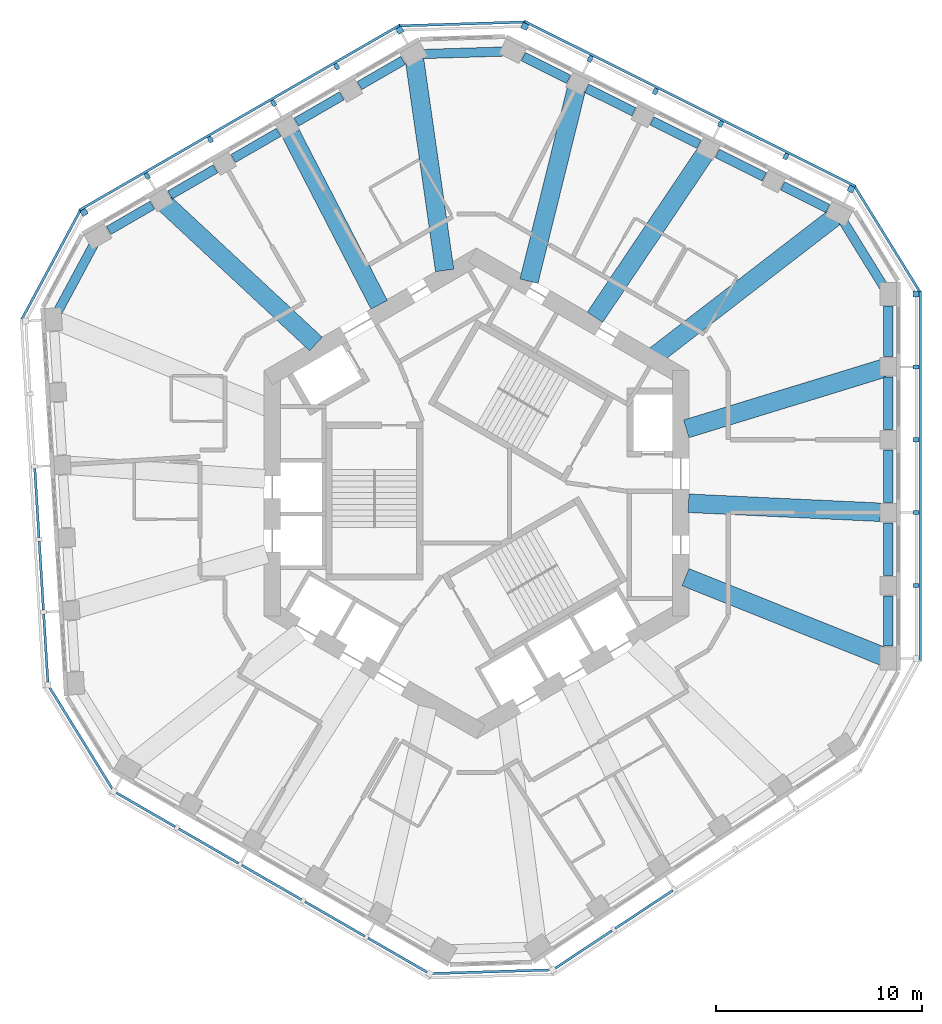
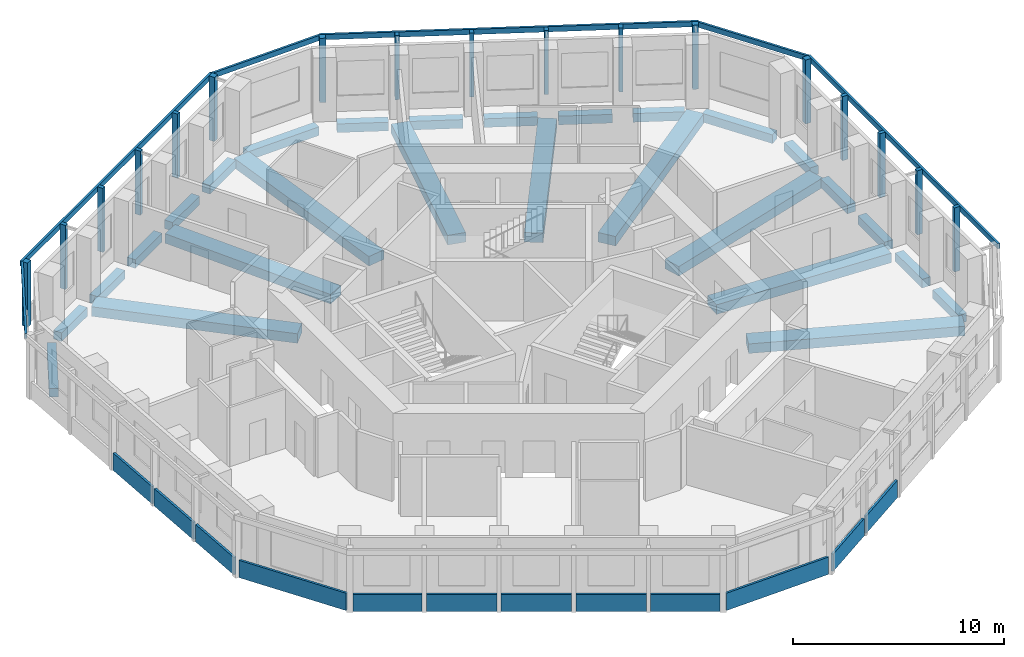
# One storey, part 2 of 11: 27 beams, 23 members, 12 plates, 11 elements without a shape of their own.
"""IFC4 building model written with IfcOpenShell, lengths in metres."""

from ifc_helpers import new_model, si_unit, direction, frame, origin, origin_2d, place, context, subcontext, project, spatial, rectangle, extrude, material, layer, layer_set, material_profile, profile_set, type_object, element, aggregate, save


model = new_model("IFC4")

# Units and contexts
model_context = context("Model", 3, precision=1e-05, world=origin(), true_north=direction((0.0, 1.0)))
body_context = subcontext(model_context, "Body", "Model", "MODEL_VIEW")
ifc_project = project(units=[si_unit("LENGTHUNIT", "METRE"), si_unit("AREAUNIT", "SQUARE_METRE"), si_unit("VOLUMEUNIT", "CUBIC_METRE"), si_unit("PLANEANGLEUNIT", "RADIAN"), si_unit("MASSUNIT", "GRAM", prefix="KILO")], contexts=[model_context])

# Site, building, storey
site_placement = place(None, origin())
site = spatial("IfcSite", under=ifc_project, at=site_placement, CompositionType="ELEMENT")
building_placement = place(site_placement, origin())
building = spatial("IfcBuilding", under=site, at=building_placement, Name="Vanh Sen Convention Tower", CompositionType="ELEMENT")
storey_placement = place(building_placement, frame((0.0, 0.0, 229.10009765625)))
storey = spatial("IfcBuildingStorey", under=building, at=storey_placement, Name="L56", CompositionType="ELEMENT", Elevation=229.10009765625)

# Curtain wall, member
ifc_material_1 = material(Name="Concrete C50/60", Category="concrete")
curtain_wall_type = type_object("IfcCurtainWallType", Name="Outer skin office zone", PredefinedType="NOTDEFINED", material=ifc_material_1)
curtain_wall_1_placement = place(storey_placement, origin())
curtain_wall_1 = element("IfcCurtainWall", 1, at=curtain_wall_1_placement, inside=storey, type_object=curtain_wall_type, Name="OUTER SKIN E L56", PredefinedType="NOTDEFINED")
ifc_material_profile_1 = material_profile(ifc_material_1, rectangle(XDim=0.300048828125, YDim=0.300048828125, at=origin_2d()), Name="Outer skin precast corner fin 300 x 300")
ifc_profile_set_1 = profile_set([ifc_material_profile_1], Name="Concrete C50/60")
member_type_1 = type_object("IfcMemberType", Name="Outer skin precast corner fin 300 x 300", PredefinedType="MULLION", material=ifc_profile_set_1)
member_1_placement = place(storey_placement, frame((21.300048828125, 9.665283203125, 0.0), z_axis=(0.0, 0.0, 1.0), x_axis=(0.0, 1.0, 0.0)))
member_1 = element("IfcMember", 2, at=member_1_placement, type_object=member_type_1, Name="OUTER SKIN CORNER FIN 6 E L56", PredefinedType="MULLION", context=body_context, shape_type="SweptSolid", body=[
    extrude(rectangle(XDim=0.300048828125, YDim=0.300048828125, at=origin_2d()), origin(), (0.0, 0.0, 1.0), 3.699951171875),
])

# Curtain wall, members
curtain_wall_2_placement = place(storey_placement, origin())
curtain_wall_2 = element("IfcCurtainWall", 3, at=curtain_wall_2_placement, inside=storey, type_object=curtain_wall_type, Name="OUTER SKIN NE L56", PredefinedType="NOTDEFINED")
member_2_placement = place(storey_placement, frame((18.15380859375, 14.74951171875, 0.0), z_axis=(0.0, 0.0, 1.0), x_axis=(-0.894934361602, 0.44619781311, 0.0)))
member_2 = element("IfcMember", 4, at=member_2_placement, type_object=member_type_1, Name="OUTER SKIN CORNER FIN 1 NE L56", PredefinedType="MULLION", context=body_context, shape_type="SweptSolid", body=[
    extrude(rectangle(XDim=0.300048828125, YDim=0.300048828125, at=origin_2d()), origin(), (0.0, 0.0, 1.0), 3.699951171875),
])
member_3_placement = place(storey_placement, frame((2.342041015625, 22.633056640625, 0.0), z_axis=(0.0, 0.0, 1.0), x_axis=(-0.894934361602, 0.44619781311, 0.0)))
member_3 = element("IfcMember", 5, at=member_3_placement, type_object=member_type_1, Name="OUTER SKIN CORNER FIN 6 NE L56", PredefinedType="MULLION", context=body_context, shape_type="SweptSolid", body=[
    extrude(rectangle(XDim=0.300048828125, YDim=0.300048828125, at=origin_2d()), origin(), (0.0, 0.0, 1.0), 3.699951171875),
])

curtain_wall_3_placement = place(storey_placement, origin())
curtain_wall_3 = element("IfcCurtainWall", 6, at=curtain_wall_3_placement, inside=storey, type_object=curtain_wall_type, Name="OUTER SKIN NW L56", PredefinedType="NOTDEFINED")
member_4_placement = place(storey_placement, frame((-3.719482421875, 22.44775390625, 0.0), z_axis=(0.0, 0.0, 1.0), x_axis=(-0.866025403784, -0.5, 0.0)))
member_4 = element("IfcMember", 7, at=member_4_placement, type_object=member_type_1, Name="OUTER SKIN CORNER FIN 1 NW L56", PredefinedType="MULLION", context=body_context, shape_type="SweptSolid", body=[
    extrude(rectangle(XDim=0.300048828125, YDim=0.300048828125, at=origin_2d()), origin(), (0.0, 0.0, 1.0), 3.699951171875),
])
member_5_placement = place(storey_placement, frame((-19.0205078125, 13.613525390625, 0.0), z_axis=(0.0, 0.0, 1.0), x_axis=(-0.866025403784, -0.5, 0.0)))
member_5 = element("IfcMember", 8, at=member_5_placement, type_object=member_type_1, Name="OUTER SKIN CORNER FIN 6 NW L56", PredefinedType="MULLION", context=body_context, shape_type="SweptSolid", body=[
    extrude(rectangle(XDim=0.300048828125, YDim=0.300048828125, at=origin_2d()), origin(), (0.0, 0.0, 1.0), 3.699951171875),
])

# Member
ifc_material_profile_2 = material_profile(ifc_material_1, rectangle(XDim=0.199951171875, YDim=0.300048828125, at=origin_2d()), Name="Outer skin precast fin 200 x 300")
ifc_profile_set_2 = profile_set([ifc_material_profile_2], Name="Concrete C50/60")
member_type_2 = type_object("IfcMemberType", Name="Outer skin precast fin 200 x 300", PredefinedType="MULLION", material=ifc_profile_set_2)
member_6_placement = place(storey_placement, frame((21.300048828125, -4.46923828125, 0.0), z_axis=(0.0, 0.0, 1.0), x_axis=(0.0, 1.0, 0.0)))
member_6 = element("IfcMember", 9, at=member_6_placement, type_object=member_type_2, Name="OUTER SKIN fin 2 E L56", PredefinedType="MULLION", context=body_context, shape_type="SweptSolid", body=[
    extrude(rectangle(XDim=0.199951171875, YDim=0.300048828125, at=origin_2d()), origin(), (0.0, 0.0, 1.0), 3.699951171875),
])

member_7_placement = place(storey_placement, frame((21.300048828125, -0.935546875, 0.0), z_axis=(0.0, 0.0, 1.0), x_axis=(0.0, 1.0, 0.0)))
member_7 = element("IfcMember", 10, at=member_7_placement, type_object=member_type_2, Name="OUTER SKIN fin 3 E L56", PredefinedType="MULLION", context=body_context, shape_type="SweptSolid", body=[
    extrude(rectangle(XDim=0.199951171875, YDim=0.300048828125, at=origin_2d()), origin(), (0.0, 0.0, 1.0), 3.699951171875),
])

member_8_placement = place(storey_placement, frame((21.300048828125, 2.59814453125, 0.0), z_axis=(0.0, 0.0, 1.0), x_axis=(0.0, 1.0, 0.0)))
member_8 = element("IfcMember", 11, at=member_8_placement, type_object=member_type_2, Name="OUTER SKIN fin 4 E L56", PredefinedType="MULLION", context=body_context, shape_type="SweptSolid", body=[
    extrude(rectangle(XDim=0.199951171875, YDim=0.300048828125, at=origin_2d()), origin(), (0.0, 0.0, 1.0), 3.699951171875),
])

member_9_placement = place(storey_placement, frame((21.300048828125, 6.131591796875, 0.0), z_axis=(0.0, 0.0, 1.0), x_axis=(0.0, 1.0, 0.0)))
member_9 = element("IfcMember", 12, at=member_9_placement, type_object=member_type_2, Name="OUTER SKIN fin 5 E L56", PredefinedType="MULLION", context=body_context, shape_type="SweptSolid", body=[
    extrude(rectangle(XDim=0.199951171875, YDim=0.300048828125, at=origin_2d()), origin(), (0.0, 0.0, 1.0), 3.699951171875),
])

member_10_placement = place(storey_placement, frame((14.99169921875, 16.326171875, 0.0), z_axis=(0.0, 0.0, 1.0), x_axis=(-0.894934361602, 0.44619781311, 0.0)))
member_10 = element("IfcMember", 13, at=member_10_placement, type_object=member_type_2, Name="OUTER SKIN fin 2 NE L56", PredefinedType="MULLION", context=body_context, shape_type="SweptSolid", body=[
    extrude(rectangle(XDim=0.199951171875, YDim=0.300048828125, at=origin_2d()), origin(), (0.0, 0.0, 1.0), 3.699951171875),
])

member_11_placement = place(storey_placement, frame((11.8291015625, 17.90283203125, 0.0), z_axis=(0.0, 0.0, 1.0), x_axis=(-0.894934361602, 0.44619781311, 0.0)))
member_11 = element("IfcMember", 14, at=member_11_placement, type_object=member_type_2, Name="OUTER SKIN fin 3 NE L56", PredefinedType="MULLION", context=body_context, shape_type="SweptSolid", body=[
    extrude(rectangle(XDim=0.199951171875, YDim=0.300048828125, at=origin_2d()), origin(), (0.0, 0.0, 1.0), 3.699951171875),
])

member_12_placement = place(storey_placement, frame((8.666748046875, 19.4794921875, 0.0), z_axis=(0.0, 0.0, 1.0), x_axis=(-0.894934361602, 0.44619781311, 0.0)))
member_12 = element("IfcMember", 15, at=member_12_placement, type_object=member_type_2, Name="OUTER SKIN fin 4 NE L56", PredefinedType="MULLION", context=body_context, shape_type="SweptSolid", body=[
    extrude(rectangle(XDim=0.199951171875, YDim=0.300048828125, at=origin_2d()), origin(), (0.0, 0.0, 1.0), 3.699951171875),
])

member_13_placement = place(storey_placement, frame((5.50439453125, 21.056396484375, 0.0), z_axis=(0.0, 0.0, 1.0), x_axis=(-0.894934361602, 0.44619781311, 0.0)))
member_13 = element("IfcMember", 16, at=member_13_placement, type_object=member_type_2, Name="OUTER SKIN fin 5 NE L56", PredefinedType="MULLION", context=body_context, shape_type="SweptSolid", body=[
    extrude(rectangle(XDim=0.199951171875, YDim=0.300048828125, at=origin_2d()), origin(), (0.0, 0.0, 1.0), 3.699951171875),
])

member_14_placement = place(storey_placement, frame((-6.779541015625, 20.680908203125, 0.0), z_axis=(0.0, 0.0, 1.0), x_axis=(-0.866025403784, -0.5, 0.0)))
member_14 = element("IfcMember", 17, at=member_14_placement, type_object=member_type_2, Name="OUTER SKIN fin 2 NW L56", PredefinedType="MULLION", context=body_context, shape_type="SweptSolid", body=[
    extrude(rectangle(XDim=0.199951171875, YDim=0.300048828125, at=origin_2d()), origin(), (0.0, 0.0, 1.0), 3.699951171875),
])

member_15_placement = place(storey_placement, frame((-9.83984375, 18.9140625, 0.0), z_axis=(0.0, 0.0, 1.0), x_axis=(-0.866025403784, -0.5, 0.0)))
member_15 = element("IfcMember", 18, at=member_15_placement, type_object=member_type_2, Name="OUTER SKIN fin 3 NW L56", PredefinedType="MULLION", context=body_context, shape_type="SweptSolid", body=[
    extrude(rectangle(XDim=0.199951171875, YDim=0.300048828125, at=origin_2d()), origin(), (0.0, 0.0, 1.0), 3.699951171875),
])

member_16_placement = place(storey_placement, frame((-12.89990234375, 17.147216796875, 0.0), z_axis=(0.0, 0.0, 1.0), x_axis=(-0.866025403784, -0.5, 0.0)))
member_16 = element("IfcMember", 19, at=member_16_placement, type_object=member_type_2, Name="OUTER SKIN fin 4 NW L56", PredefinedType="MULLION", context=body_context, shape_type="SweptSolid", body=[
    extrude(rectangle(XDim=0.199951171875, YDim=0.300048828125, at=origin_2d()), origin(), (0.0, 0.0, 1.0), 3.699951171875),
])

member_17_placement = place(storey_placement, frame((-15.960205078125, 15.38037109375, 0.0), z_axis=(0.0, 0.0, 1.0), x_axis=(-0.866025403784, -0.5, 0.0)))
member_17 = element("IfcMember", 20, at=member_17_placement, type_object=member_type_2, Name="OUTER SKIN fin 5 NW L56", PredefinedType="MULLION", context=body_context, shape_type="SweptSolid", body=[
    extrude(rectangle(XDim=0.199951171875, YDim=0.300048828125, at=origin_2d()), origin(), (0.0, 0.0, 1.0), 3.699951171875),
])

ifc_material_profile_3 = material_profile(ifc_material_1, rectangle(XDim=0.1201171875, YDim=0.300048828125, at=origin_2d()), Name="Outer skin precast spandrel band 300 x 120")
ifc_profile_set_3 = profile_set([ifc_material_profile_3], Name="Concrete C50/60")
member_type_3 = type_object("IfcMemberType", Name="Outer skin precast spandrel band 300 x 120", PredefinedType="USERDEFINED", material=ifc_profile_set_3)
member_18_placement = place(storey_placement, frame((21.510009765625, -8.15283203125, 3.5498046875), z_axis=(0.0, 1.0, 0.0), x_axis=(-1.0, 0.0, 0.0)))
member_18 = element("IfcMember", 21, at=member_18_placement, type_object=member_type_3, Name="OUTER SKIN spandrel band E L56", ObjectType="TRANSOM", PredefinedType="USERDEFINED", context=body_context, shape_type="SweptSolid", body=[
    extrude(rectangle(XDim=0.1201171875, YDim=0.300048828125, at=origin_2d()), origin(), (0.0, 0.0, 1.0), 17.96826171875),
])

aggregate(curtain_wall_1, [member_6, member_7, member_8, member_9, member_1, member_18])

# Curtain wall, member
curtain_wall_4_placement = place(storey_placement, origin())
curtain_wall_4 = element("IfcCurtainWall", 22, at=curtain_wall_4_placement, inside=storey, type_object=curtain_wall_type, Name="OUTER SKIN CH1 L56", PredefinedType="NOTDEFINED")
member_19_placement = place(storey_placement, frame((21.478515625, 9.77587890625, 3.5498046875), z_axis=(-0.526187318786, 0.850368688011, 0.0), x_axis=(-0.850368688011, -0.526187318786, 0.0)))
member_19 = element("IfcMember", 23, at=member_19_placement, type_object=member_type_3, Name="OUTER SKIN spandrel band CH1 L56", ObjectType="TRANSOM", PredefinedType="USERDEFINED", context=body_context, shape_type="SweptSolid", body=[
    extrude(rectangle(XDim=0.1201171875, YDim=0.300048828125, at=origin_2d()), origin(), (0.0, 0.0, 1.0), 5.978759765625),
])
aggregate(curtain_wall_4, [member_19])

# Member
member_20_placement = place(storey_placement, frame((18.3818359375, 14.87060546875, 3.5498046875), z_axis=(-0.894940208367, 0.446186086121, 0.0), x_axis=(-0.446186086121, -0.894940208367, 0.0)))
member_20 = element("IfcMember", 24, at=member_20_placement, type_object=member_type_3, Name="OUTER SKIN spandrel band NE L56", ObjectType="TRANSOM", PredefinedType="USERDEFINED", context=body_context, shape_type="SweptSolid", body=[
    extrude(rectangle(XDim=0.1201171875, YDim=0.300048828125, at=origin_2d()), origin(), (0.0, 0.0, 1.0), 17.968017578125),
])

aggregate(curtain_wall_2, [member_2, member_10, member_11, member_12, member_13, member_3, member_20])

# Curtain wall, member
curtain_wall_5_placement = place(storey_placement, origin())
curtain_wall_5 = element("IfcCurtainWall", 25, at=curtain_wall_5_placement, inside=storey, type_object=curtain_wall_type, Name="OUTER SKIN CH2 L56", PredefinedType="NOTDEFINED")
member_21_placement = place(storey_placement, frame((2.335693359375, 22.843017578125, 3.5498046875), z_axis=(-0.999533054911, -0.030556049165, 0.0), x_axis=(0.030556049165, -0.999533054911, 0.0)))
member_21 = element("IfcMember", 26, at=member_21_placement, type_object=member_type_3, Name="OUTER SKIN spandrel band CH2 L56", ObjectType="TRANSOM", PredefinedType="USERDEFINED", context=body_context, shape_type="SweptSolid", body=[
    extrude(rectangle(XDim=0.1201171875, YDim=0.300048828125, at=origin_2d()), origin(), (0.0, 0.0, 1.0), 6.064453125),
])
aggregate(curtain_wall_5, [member_21])

# Member
member_22_placement = place(storey_placement, frame((-3.694580078125, 22.70458984375, 3.5498046875), z_axis=(-0.866022898019, -0.500004340088, 0.0), x_axis=(0.500004340088, -0.866022898019, 0.0)))
member_22 = element("IfcMember", 27, at=member_22_placement, type_object=member_type_3, Name="OUTER SKIN spandrel band NW L56", ObjectType="TRANSOM", PredefinedType="USERDEFINED", context=body_context, shape_type="SweptSolid", body=[
    extrude(rectangle(XDim=0.1201171875, YDim=0.300048828125, at=origin_2d()), origin(), (0.0, 0.0, 1.0), 17.968017578125),
])

aggregate(curtain_wall_3, [member_4, member_14, member_15, member_16, member_17, member_5, member_22])

# Curtain wall, member
curtain_wall_6_placement = place(storey_placement, origin())
curtain_wall_6 = element("IfcCurtainWall", 28, at=curtain_wall_6_placement, inside=storey, type_object=curtain_wall_type, Name="OUTER SKIN CH3 L56", PredefinedType="NOTDEFINED")
member_23_placement = place(storey_placement, frame((-19.20556640625, 13.712890625, 3.5498046875), z_axis=(-0.473317965247, -0.880891652688, 0.0), x_axis=(0.880891652688, -0.473317965247, 0.0)))
member_23 = element("IfcMember", 29, at=member_23_placement, type_object=member_type_3, Name="OUTER SKIN spandrel band CH3 L56", ObjectType="TRANSOM", PredefinedType="USERDEFINED", context=body_context, shape_type="SweptSolid", body=[
    extrude(rectangle(XDim=0.1201171875, YDim=0.300048828125, at=origin_2d()), origin(), (0.0, 0.0, 1.0), 5.978759765625),
])
aggregate(curtain_wall_6, [member_23])

# Beams
ifc_material_2 = material(Name="Concrete C50/60", Category="concrete")
ifc_material_profile_4 = material_profile(ifc_material_2, rectangle(XDim=0.89990234375, YDim=0.550048828125, at=origin_2d()), Name="RC 900X550")
ifc_profile_set_4 = profile_set([ifc_material_profile_4], Name="Concrete C50/60")
beam_type_1 = type_object("IfcBeamType", Name="Radial floor beam 900 x 550", PredefinedType="BEAM", material=ifc_profile_set_4)
beam_1_placement = place(storey_placement, frame((19.72216796875, -7.911376953125, -0.55517578125), z_axis=(-0.928114670257, 0.372294451816, 0.0), x_axis=(-0.372294451816, -0.928114670257, 0.0)))
element("IfcBeam", 30, at=beam_1_placement, inside=storey, type_object=beam_type_1, Name="Radial beam 01 L56", PredefinedType="BEAM", context=body_context, shape_type="SweptSolid", body=[
    extrude(rectangle(XDim=0.89990234375, YDim=0.550048828125, at=origin_2d()), origin(), (0.0, 0.0, 1.0), 10.337646484375),
])
beam_2_placement = place(storey_placement, frame((19.576171875, -0.91796875, -0.55517578125), z_axis=(-0.998901986162, 0.046848927859, 0.0), x_axis=(-0.046848927859, -0.998901986162, 0.0)))
element("IfcBeam", 31, at=beam_2_placement, inside=storey, type_object=beam_type_1, Name="Radial beam 02 L56", PredefinedType="BEAM", context=body_context, shape_type="SweptSolid", body=[
    extrude(rectangle(XDim=0.89990234375, YDim=0.550048828125, at=origin_2d()), origin(), (0.0, 0.0, 1.0), 9.3125),
])
beam_3_placement = place(storey_placement, frame((19.7275390625, 6.063232421875, -0.55517578125), z_axis=(-0.955869175427, -0.293792647062, 0.0), x_axis=(0.293792647062, -0.955869175427, 0.0)))
element("IfcBeam", 32, at=beam_3_placement, inside=storey, type_object=beam_type_1, Name="Radial beam 03 L56", PredefinedType="BEAM", context=body_context, shape_type="SweptSolid", body=[
    extrude(rectangle(XDim=0.89990234375, YDim=0.550048828125, at=origin_2d()), origin(), (0.0, 0.0, 1.0), 10.006103515625),
])
beam_4_placement = place(storey_placement, frame((17.376220703125, 13.406005859375, -0.55517578125), z_axis=(-0.79175189304, -0.610842811096, 0.0), x_axis=(0.610842811096, -0.79175189304, 0.0)))
element("IfcBeam", 33, at=beam_4_placement, inside=storey, type_object=beam_type_1, Name="Radial beam 04 L56", PredefinedType="BEAM", context=body_context, shape_type="SweptSolid", body=[
    extrude(rectangle(XDim=0.89990234375, YDim=0.550048828125, at=origin_2d()), origin(), (0.0, 0.0, 1.0), 11.0),
])
beam_5_placement = place(storey_placement, frame((11.037109375, 16.41259765625, -0.55517578125), z_axis=(-0.558032103727, -0.82981936059, 0.0), x_axis=(0.82981936059, -0.558032103727, 0.0)))
element("IfcBeam", 34, at=beam_5_placement, inside=storey, type_object=beam_type_1, Name="Radial beam 05 L56", PredefinedType="BEAM", context=body_context, shape_type="SweptSolid", body=[
    extrude(rectangle(XDim=0.89990234375, YDim=0.550048828125, at=origin_2d()), origin(), (0.0, 0.0, 1.0), 9.490234375),
])
beam_6_placement = place(storey_placement, frame((4.83642578125, 19.58251953125, -0.55517578125), z_axis=(-0.239783495291, -0.970826387871, 0.0), x_axis=(0.970826387871, -0.239783495291, 0.0)))
element("IfcBeam", 35, at=beam_6_placement, inside=storey, type_object=beam_type_1, Name="Radial beam 06 L56", PredefinedType="BEAM", context=body_context, shape_type="SweptSolid", body=[
    extrude(rectangle(XDim=0.89990234375, YDim=0.550048828125, at=origin_2d()), origin(), (0.0, 0.0, 1.0), 9.583984375),
])
beam_7_placement = place(storey_placement, frame((-3.009521484375, 21.03564453125, -0.55517578125), z_axis=(0.141629652846, -0.989919714641, 0.0), x_axis=(0.989919714641, 0.141629652846, 0.0)))
element("IfcBeam", 36, at=beam_7_placement, inside=storey, type_object=beam_type_1, Name="Radial beam 07 L56", PredefinedType="BEAM", context=body_context, shape_type="SweptSolid", body=[
    extrude(rectangle(XDim=0.89990234375, YDim=0.550048828125, at=origin_2d()), origin(), (0.0, 0.0, 1.0), 10.337646484375),
])
beam_8_placement = place(storey_placement, frame((-8.992919921875, 17.412353515625, -0.55517578125), z_axis=(0.458878642488, -0.888498954118, 0.0), x_axis=(0.888498954118, 0.458878642488, 0.0)))
element("IfcBeam", 37, at=beam_8_placement, inside=storey, type_object=beam_type_1, Name="Radial beam 08 L56", PredefinedType="BEAM", context=body_context, shape_type="SweptSolid", body=[
    extrude(rectangle(XDim=0.89990234375, YDim=0.550048828125, at=origin_2d()), origin(), (0.0, 0.0, 1.0), 9.312255859375),
])
beam_9_placement = place(storey_placement, frame((-15.11474609375, 14.052734375, -0.55517578125), z_axis=(0.732367531302, -0.680909538114, 0.0), x_axis=(0.680909538114, 0.732367531302, 0.0)))
element("IfcBeam", 38, at=beam_9_placement, inside=storey, type_object=beam_type_1, Name="Radial beam 09 L56", PredefinedType="BEAM", context=body_context, shape_type="SweptSolid", body=[
    extrude(rectangle(XDim=0.89990234375, YDim=0.550048828125, at=origin_2d()), origin(), (0.0, 0.0, 1.0), 10.006103515625),
])
ifc_material_profile_5 = material_profile(ifc_material_2, rectangle(XDim=0.449951171875, YDim=0.5, at=origin_2d()), Name="RC 450X500")
ifc_profile_set_5 = profile_set([ifc_material_profile_5], Name="Concrete C50/60")
beam_type_2 = type_object("IfcBeamType", Name="Spandrel beam 450 x 500", PredefinedType="SPANDREL", material=ifc_profile_set_5)
beam_10_placement = place(storey_placement, frame((19.949951171875, -7.40771484375, -0.530029296875), z_axis=(0.0, 1.0, 0.0), x_axis=(-1.0, 0.0, 0.0)))
element("IfcBeam", 39, at=beam_10_placement, inside=storey, type_object=beam_type_2, Name="Spandrel beam 01 L56", PredefinedType="SPANDREL", context=body_context, shape_type="SweptSolid", body=[
    extrude(rectangle(XDim=0.449951171875, YDim=0.5, at=origin_2d()), origin(), (0.0, 0.0, 1.0), 2.443603515625),
])
beam_11_placement = place(storey_placement, frame((19.949951171875, -3.97412109375, -0.530029296875), z_axis=(0.0, 1.0, 0.0), x_axis=(-1.0, 0.0, 0.0)))
element("IfcBeam", 40, at=beam_11_placement, inside=storey, type_object=beam_type_2, Name="Spandrel beam 02 L56", PredefinedType="SPANDREL", context=body_context, shape_type="SweptSolid", body=[
    extrude(rectangle(XDim=0.449951171875, YDim=0.5, at=origin_2d()), origin(), (0.0, 0.0, 1.0), 2.543701171875),
])
beam_12_placement = place(storey_placement, frame((19.949951171875, -0.4404296875, -0.530029296875), z_axis=(0.0, 1.0, 0.0), x_axis=(-1.0, 0.0, 0.0)))
element("IfcBeam", 41, at=beam_12_placement, inside=storey, type_object=beam_type_2, Name="Spandrel beam 03 L56", PredefinedType="SPANDREL", context=body_context, shape_type="SweptSolid", body=[
    extrude(rectangle(XDim=0.449951171875, YDim=0.5, at=origin_2d()), origin(), (0.0, 0.0, 1.0), 2.54345703125),
])
beam_13_placement = place(storey_placement, frame((19.949951171875, 3.093017578125, -0.530029296875), z_axis=(0.0, 1.0, 0.0), x_axis=(-1.0, 0.0, 0.0)))
element("IfcBeam", 42, at=beam_13_placement, inside=storey, type_object=beam_type_2, Name="Spandrel beam 04 L56", PredefinedType="SPANDREL", context=body_context, shape_type="SweptSolid", body=[
    extrude(rectangle(XDim=0.449951171875, YDim=0.5, at=origin_2d()), origin(), (0.0, 0.0, 1.0), 2.543701171875),
])
beam_14_placement = place(storey_placement, frame((19.949951171875, 6.626708984375, -0.530029296875), z_axis=(0.0, 1.0, 0.0), x_axis=(-1.0, 0.0, 0.0)))
element("IfcBeam", 43, at=beam_14_placement, inside=storey, type_object=beam_type_2, Name="Spandrel beam 05 L56", PredefinedType="SPANDREL", context=body_context, shape_type="SweptSolid", body=[
    extrude(rectangle(XDim=0.449951171875, YDim=0.5, at=origin_2d()), origin(), (0.0, 0.0, 1.0), 2.443603515625),
])
beam_15_placement = place(storey_placement, frame((19.743896484375, 9.998291015625, -0.530029296875), z_axis=(-0.526203201027, 0.850358860264, 0.0), x_axis=(-0.850358860264, -0.526203201027, 0.0)))
element("IfcBeam", 44, at=beam_15_placement, inside=storey, type_object=beam_type_2, Name="Spandrel beam 06 L56", PredefinedType="SPANDREL", context=body_context, shape_type="SweptSolid", body=[
    extrude(rectangle(XDim=0.449951171875, YDim=0.5, at=origin_2d()), origin(), (0.0, 0.0, 1.0), 3.77490234375),
])
beam_16_placement = place(storey_placement, frame((17.01904296875, 13.806884765625, -0.530029296875), z_axis=(-0.894926200996, 0.446214180378, 0.0), x_axis=(-0.446214180378, -0.894926200996, 0.0)))
element("IfcBeam", 45, at=beam_16_placement, inside=storey, type_object=beam_type_2, Name="Spandrel beam 07 L56", PredefinedType="SPANDREL", context=body_context, shape_type="SweptSolid", body=[
    extrude(rectangle(XDim=0.449951171875, YDim=0.5, at=origin_2d()), origin(), (0.0, 0.0, 1.0), 2.443603515625),
])
for number, where, z_axis, x_axis, name in (
    (46, (13.9462890625, 15.3388671875, -0.530029296875), (-0.894925734573, 0.446215115834, 0.0), (-0.446215115834, -0.894925734573, 0.0), "Spandrel beam 08 L56"),
    (47, (10.78369140625, 16.91552734375, -0.530029296875), (-0.894925734573, 0.446215115834, 0.0), (-0.446215115834, -0.894925734573, 0.0), "Spandrel beam 09 L56"),
    (48, (7.621337890625, 18.4921875, -0.530029296875), (-0.894925734573, 0.446215115834, 0.0), (-0.446215115834, -0.894925734573, 0.0), "Spandrel beam 10 L56"),
):
    element("IfcBeam", number, at=place(storey_placement, frame(where, z_axis=z_axis, x_axis=x_axis)), inside=storey, type_object=beam_type_2, Name=name, PredefinedType="SPANDREL", context=body_context, shape_type="SweptSolid", body=[
        extrude(rectangle(XDim=0.449951171875, YDim=0.5, at=origin_2d()), origin(), (0.0, 0.0, 1.0), 2.543701171875),
    ])
beam_17_placement = place(storey_placement, frame((4.458984375, 20.069091796875, -0.530029296875), z_axis=(-0.894966097575, 0.446134154926, 0.0), x_axis=(-0.446134154926, -0.894966097575, 0.0)))
element("IfcBeam", 49, at=beam_17_placement, inside=storey, type_object=beam_type_2, Name="Spandrel beam 11 L56", PredefinedType="SPANDREL", context=body_context, shape_type="SweptSolid", body=[
    extrude(rectangle(XDim=0.449951171875, YDim=0.5, at=origin_2d()), origin(), (0.0, 0.0, 1.0), 2.443359375),
])
beam_18_placement = place(storey_placement, frame((1.318603515625, 21.411865234375, -0.530029296875), z_axis=(-0.999534166839, -0.030519654667, 0.0), x_axis=(0.030519654667, -0.999534166839, 0.0)))
element("IfcBeam", 50, at=beam_18_placement, inside=storey, type_object=beam_type_2, Name="Spandrel beam 12 L56", PredefinedType="SPANDREL", context=body_context, shape_type="SweptSolid", body=[
    extrude(rectangle(XDim=0.449951171875, YDim=0.5, at=origin_2d()), origin(), (0.0, 0.0, 1.0), 3.94384765625),
])
beam_19_placement = place(storey_placement, frame((-3.559814453125, 20.981201171875, -0.530029296875), z_axis=(-0.865977582417, -0.500082819891, 0.0), x_axis=(0.500082819891, -0.865977582417, 0.0)))
element("IfcBeam", 51, at=beam_19_placement, inside=storey, type_object=beam_type_2, Name="Spandrel beam 13 L56", PredefinedType="SPANDREL", context=body_context, shape_type="SweptSolid", body=[
    extrude(rectangle(XDim=0.449951171875, YDim=0.5, at=origin_2d()), origin(), (0.0, 0.0, 1.0), 2.443359375),
])
for number, where, z_axis, x_axis, name in (
    (52, (-6.533203125, 19.264404296875, -0.530029296875), (-0.866001775466, -0.500040923216, 0.0), (0.500040923216, -0.866001775466, 0.0), "Spandrel beam 14 L56"),
    (53, (-9.593505859375, 17.49755859375, -0.530029296875), (-0.866001775466, -0.500040923216, 0.0), (0.500040923216, -0.866001775466, 0.0), "Spandrel beam 15 L56"),
):
    element("IfcBeam", number, at=place(storey_placement, frame(where, z_axis=z_axis, x_axis=x_axis)), inside=storey, type_object=beam_type_2, Name=name, PredefinedType="SPANDREL", context=body_context, shape_type="SweptSolid", body=[
        extrude(rectangle(XDim=0.449951171875, YDim=0.5, at=origin_2d()), origin(), (0.0, 0.0, 1.0), 2.543701171875),
    ])
beam_20_placement = place(storey_placement, frame((-12.65380859375, 15.730712890625, -0.530029296875), z_axis=(-0.865977774259, -0.500082487685, 0.0), x_axis=(0.500082487685, -0.865977774259, 0.0)))
element("IfcBeam", 54, at=beam_20_placement, inside=storey, type_object=beam_type_2, Name="Spandrel beam 16 L56", PredefinedType="SPANDREL", context=body_context, shape_type="SweptSolid", body=[
    extrude(rectangle(XDim=0.449951171875, YDim=0.5, at=origin_2d()), origin(), (0.0, 0.0, 1.0), 2.54345703125),
])
beam_21_placement = place(storey_placement, frame((-15.7138671875, 13.9638671875, -0.530029296875), z_axis=(-0.866002566612, -0.500039553057, 0.0), x_axis=(0.500039553057, -0.866002566612, 0.0)))
element("IfcBeam", 55, at=beam_21_placement, inside=storey, type_object=beam_type_2, Name="Spandrel beam 17 L56", PredefinedType="SPANDREL", context=body_context, shape_type="SweptSolid", body=[
    extrude(rectangle(XDim=0.449951171875, YDim=0.5, at=origin_2d()), origin(), (0.0, 0.0, 1.0), 2.443603515625),
])
beam_22_placement = place(storey_placement, frame((-18.53076171875, 12.099609375, -0.530029296875), z_axis=(-0.473305113601, -0.880898557973, 0.0), x_axis=(0.880898557973, -0.473305113601, 0.0)))
element("IfcBeam", 56, at=beam_22_placement, inside=storey, type_object=beam_type_2, Name="Spandrel beam 18 L56", PredefinedType="SPANDREL", context=body_context, shape_type="SweptSolid", body=[
    extrude(rectangle(XDim=0.449951171875, YDim=0.5, at=origin_2d()), origin(), (0.0, 0.0, 1.0), 3.774658203125),
])

# Curtain wall, plates
curtain_wall_7_placement = place(storey_placement, origin())
curtain_wall_7 = element("IfcCurtainWall", 57, at=curtain_wall_7_placement, inside=storey, type_object=curtain_wall_type, Name="OUTER SKIN W L56", PredefinedType="NOTDEFINED")
ifc_layer = layer(ifc_material_1, 0.1201171875)
ifc_layer_set = layer_set([ifc_layer], Name="Concrete C50/60")
plate_type = type_object("IfcPlateType", Name="Outer skin precast screen panel 120", PredefinedType="CURTAIN_PANEL", material=ifc_layer_set)
plate_1_placement = place(storey_placement, frame((-21.31103515625, -0.470703125, 0.0), z_axis=(0.0, 0.0, 1.0), x_axis=(0.061043313312, -0.998135118058, 0.0)))
plate_1 = element("IfcPlate", 58, at=plate_1_placement, type_object=plate_type, Name="OUTER SKIN screen panel W-3", PredefinedType="CURTAIN_PANEL", context=body_context, shape_type="SweptSolid", body=[
    extrude(rectangle(XDim=3.33349609375, YDim=0.1201171875, at=origin_2d()), origin(), (0.0, 0.0, 1.0), 1.0),
])
plate_2_placement = place(storey_placement, frame((-21.09521484375, -3.99755859375, 0.0), z_axis=(0.0, 0.0, 1.0), x_axis=(0.061043313312, -0.998135118058, 0.0)))
plate_2 = element("IfcPlate", 59, at=plate_2_placement, type_object=plate_type, Name="OUTER SKIN screen panel W-4", PredefinedType="CURTAIN_PANEL", context=body_context, shape_type="SweptSolid", body=[
    extrude(rectangle(XDim=3.33349609375, YDim=0.1201171875, at=origin_2d()), origin(), (0.0, 0.0, 1.0), 1.0),
])
plate_3_placement = place(storey_placement, frame((-20.881103515625, -7.499755859375, 0.0), z_axis=(0.0, 0.0, 1.0), x_axis=(0.061069444408, -0.998133519605, 0.0)))
plate_3 = element("IfcPlate", 60, at=plate_3_placement, type_object=plate_type, Name="OUTER SKIN screen panel W-5", PredefinedType="CURTAIN_PANEL", context=body_context, shape_type="SweptSolid", body=[
    extrude(rectangle(XDim=3.28369140625, YDim=0.1201171875, at=origin_2d()), origin(), (0.0, 0.0, 1.0), 1.0),
])
aggregate(curtain_wall_7, [plate_1, plate_2, plate_3])

# Curtain wall, plate
curtain_wall_8_placement = place(storey_placement, origin())
curtain_wall_8 = element("IfcCurtainWall", 61, at=curtain_wall_8_placement, inside=storey, type_object=curtain_wall_type, Name="OUTER SKIN CH4 L56", PredefinedType="NOTDEFINED")
plate_4_placement = place(storey_placement, frame((-19.176025390625, -11.86669921875, 0.0), z_axis=(0.0, 0.0, 1.0), x_axis=(0.526215407796, -0.850351306578, 0.0)))
plate_4 = element("IfcPlate", 62, at=plate_4_placement, type_object=plate_type, Name="OUTER SKIN screen panel CH4-1", PredefinedType="CURTAIN_PANEL", context=body_context, shape_type="SweptSolid", body=[
    extrude(rectangle(XDim=5.76416015625, YDim=0.1201171875, at=origin_2d()), origin(), (0.0, 0.0, 1.0), 1.0),
])
aggregate(curtain_wall_8, [plate_4])

# Curtain wall, plates
curtain_wall_9_placement = place(storey_placement, origin())
curtain_wall_9 = element("IfcCurtainWall", 63, at=curtain_wall_9_placement, inside=storey, type_object=curtain_wall_type, Name="OUTER SKIN SW L56", PredefinedType="NOTDEFINED")
plate_5_placement = place(storey_placement, frame((-16.02880859375, -15.3408203125, 0.0), z_axis=(0.0, 0.0, 1.0), x_axis=(0.866026276448, -0.4999984885, 0.0)))
plate_5 = element("IfcPlate", 64, at=plate_5_placement, type_object=plate_type, Name="OUTER SKIN screen panel SW-1", PredefinedType="CURTAIN_PANEL", context=body_context, shape_type="SweptSolid", body=[
    extrude(rectangle(XDim=3.28369140625, YDim=0.1201171875, at=origin_2d()), origin(), (0.0, 0.0, 1.0), 1.0),
])
plate_6_placement = place(storey_placement, frame((-12.990234375, -17.09521484375, 0.0), z_axis=(0.0, 0.0, 1.0), x_axis=(0.866026276448, -0.4999984885, 0.0)))
plate_6 = element("IfcPlate", 65, at=plate_6_placement, type_object=plate_type, Name="OUTER SKIN screen panel SW-2", PredefinedType="CURTAIN_PANEL", context=body_context, shape_type="SweptSolid", body=[
    extrude(rectangle(XDim=3.33349609375, YDim=0.1201171875, at=origin_2d()), origin(), (0.0, 0.0, 1.0), 1.0),
])
plate_7_placement = place(storey_placement, frame((-9.93017578125, -18.862060546875, 0.0), z_axis=(0.0, 0.0, 1.0), x_axis=(0.866014058921, -0.500019649364, 0.0)))
plate_7 = element("IfcPlate", 66, at=plate_7_placement, type_object=plate_type, Name="OUTER SKIN screen panel SW-3", PredefinedType="CURTAIN_PANEL", context=body_context, shape_type="SweptSolid", body=[
    extrude(rectangle(XDim=3.333740234375, YDim=0.1201171875, at=origin_2d()), origin(), (0.0, 0.0, 1.0), 1.0),
])
plate_8_placement = place(storey_placement, frame((-6.869873046875, -20.62890625, 0.0), z_axis=(0.0, 0.0, 1.0), x_axis=(0.866026276448, -0.4999984885, 0.0)))
plate_8 = element("IfcPlate", 67, at=plate_8_placement, type_object=plate_type, Name="OUTER SKIN screen panel SW-4", PredefinedType="CURTAIN_PANEL", context=body_context, shape_type="SweptSolid", body=[
    extrude(rectangle(XDim=3.33349609375, YDim=0.1201171875, at=origin_2d()), origin(), (0.0, 0.0, 1.0), 1.0),
])
plate_9_placement = place(storey_placement, frame((-3.831298828125, -22.383056640625, 0.0), z_axis=(0.0, 0.0, 1.0), x_axis=(0.866033257659, -0.499986396443, 0.0)))
plate_9 = element("IfcPlate", 68, at=plate_9_placement, type_object=plate_type, Name="OUTER SKIN screen panel SW-5", PredefinedType="CURTAIN_PANEL", context=body_context, shape_type="SweptSolid", body=[
    extrude(rectangle(XDim=3.28369140625, YDim=0.1201171875, at=origin_2d()), origin(), (0.0, 0.0, 1.0), 1.0),
])
aggregate(curtain_wall_9, [plate_5, plate_6, plate_7, plate_8, plate_9])

# Curtain wall, plate
curtain_wall_10_placement = place(storey_placement, origin())
curtain_wall_10 = element("IfcCurtainWall", 69, at=curtain_wall_10_placement, inside=storey, type_object=curtain_wall_type, Name="OUTER SKIN CH5 L56", PredefinedType="NOTDEFINED")
plate_10_placement = place(storey_placement, frame((0.70849609375, -23.187744140625, 0.0), z_axis=(0.0, 0.0, 1.0), x_axis=(0.999533537535, 0.030540257725, 0.0)))
plate_10 = element("IfcPlate", 70, at=plate_10_placement, type_object=plate_type, Name="OUTER SKIN screen panel CH5-1", PredefinedType="CURTAIN_PANEL", context=body_context, shape_type="SweptSolid", body=[
    extrude(rectangle(XDim=5.6787109375, YDim=0.1201171875, at=origin_2d()), origin(), (0.0, 0.0, 1.0), 1.0),
])
aggregate(curtain_wall_10, [plate_10])

# Curtain wall, plates
curtain_wall_11_placement = place(storey_placement, origin())
curtain_wall_11 = element("IfcCurtainWall", 71, at=curtain_wall_11_placement, inside=storey, type_object=curtain_wall_type, Name="OUTER SKIN SE L56", PredefinedType="NOTDEFINED")
plate_11_placement = place(storey_placement, frame((5.190673828125, -22.107421875, 0.0), z_axis=(0.0, 0.0, 1.0), x_axis=(0.833896418343, 0.551920975752, 0.0)))
plate_11 = element("IfcPlate", 72, at=plate_11_placement, type_object=plate_type, Name="OUTER SKIN screen panel SE-1", PredefinedType="CURTAIN_PANEL", context=body_context, shape_type="SweptSolid", body=[
    extrude(rectangle(XDim=3.28369140625, YDim=0.1201171875, at=origin_2d()), origin(), (0.0, 0.0, 1.0), 1.0),
])
plate_12_placement = place(storey_placement, frame((8.116455078125, -20.1708984375, 0.0), z_axis=(0.0, 0.0, 1.0), x_axis=(0.833874262143, 0.551954450055, 0.0)))
plate_12 = element("IfcPlate", 73, at=plate_12_placement, type_object=plate_type, Name="OUTER SKIN screen panel SE-2", PredefinedType="CURTAIN_PANEL", context=body_context, shape_type="SweptSolid", body=[
    extrude(rectangle(XDim=3.33349609375, YDim=0.1201171875, at=origin_2d()), origin(), (0.0, 0.0, 1.0), 1.0),
])
aggregate(curtain_wall_11, [plate_11, plate_12])

save(model, "model.ifc")
